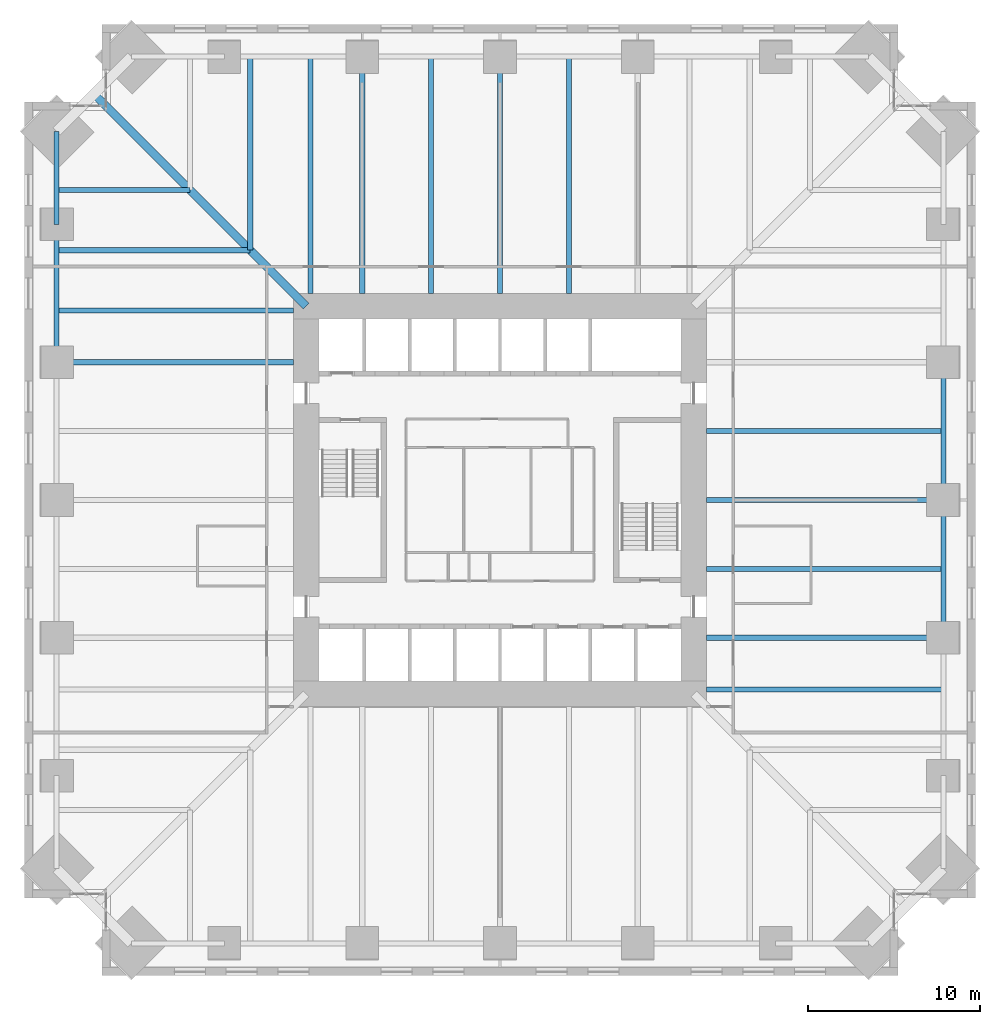
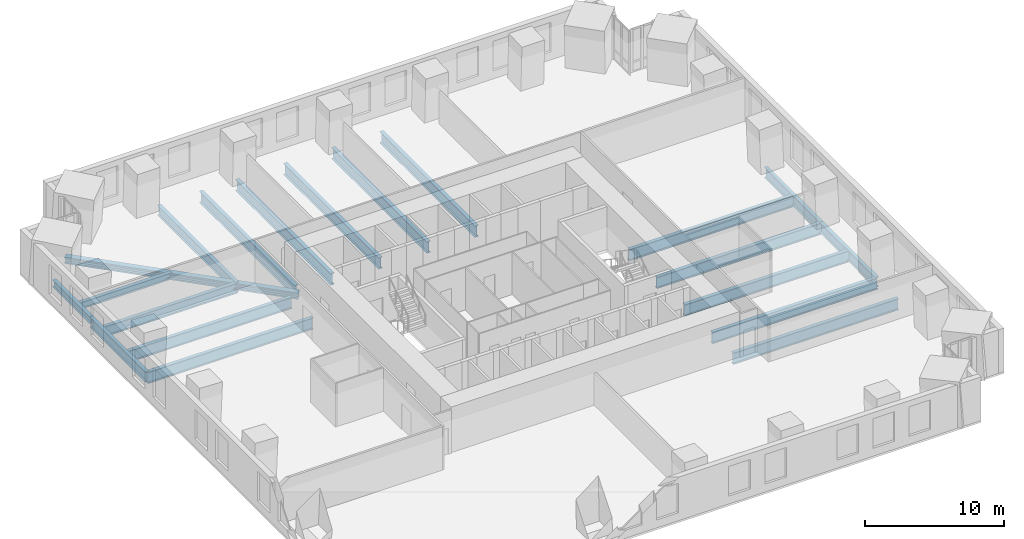
# One storey, part 5 of 16: 20 beams.
"""IFC4 building model written with IfcOpenShell, lengths in metres."""

import ifcopenshell
import ifcopenshell.guid

model = None  # the IFC model being written
_history = None  # IfcOwnerHistory: only IFC2X3 demands one
_inside = {}  # id of a spatial element -> (the spatial element, [elements in it])
_under = {}  # id of a project, library or spatial element -> (it, [spatial elements below it])
_declared = {}  # id of a project -> (the project, [libraries it declares])
_typed = {}  # id of a type object -> (the type object, [elements of that type])
_made_of = {}  # id of a material, layer set ... -> (it, [elements and type objects made of it])


def new_model(schema):
    """Start an empty IFC model of exactly this schema.

    Asked for "IFC4X3", IfcOpenShell would pick the latest addendum, in which some entities
    have other attributes; the version numbers below select the first issue.
    IFC2X3 requires an IfcOwnerHistory on every rooted entity: one is made here for all.
    """
    global model, _history
    if schema == "IFC4X3":
        model = ifcopenshell.file(schema_version=(4, 3, 0, 0))
    else:
        model = ifcopenshell.file(schema=schema)
    _inside.clear()
    _under.clear()
    _declared.clear()
    _typed.clear()
    _made_of.clear()
    _history = None
    if model.schema == "IFC2X3":
        org = make("IfcOrganization", Name="unknown")
        user = make(
            "IfcPersonAndOrganization",
            ThePerson=make("IfcPerson", FamilyName="unknown"),
            TheOrganization=org,
        )
        app = make(
            "IfcApplication",
            ApplicationDeveloper=org,
            Version="unknown",
            ApplicationFullName="unknown",
            ApplicationIdentifier="unknown",
        )
        _history = make(
            "IfcOwnerHistory",
            OwningUser=user,
            OwningApplication=app,
            ChangeAction="ADDED",
            CreationDate=0,
        )
    return model


def make(cls, **values):
    """One entity of the class cls with the attributes given. An attribute that is None is left unset."""
    return model.create_entity(
        cls, **{name: value for name, value in values.items() if value is not None}
    )


def rooted(cls, **values):
    """An entity with a GlobalId (a new one), such as an element, a storey or a relation."""
    return make(cls, GlobalId=ifcopenshell.guid.new(), OwnerHistory=_history, **values)


def si_unit(unit_type, name, prefix=None):
    """IfcSIUnit, for example si_unit("LENGTHUNIT", "METRE", prefix="MILLI")."""
    return make("IfcSIUnit", UnitType=unit_type, Prefix=prefix, Name=name)


def assignment(units):
    """IfcUnitAssignment: the units of a project."""
    return None if units is None else make("IfcUnitAssignment", Units=units)


def point(xyz):
    """IfcCartesianPoint."""
    return None if xyz is None else make("IfcCartesianPoint", Coordinates=xyz)


def direction(xyz):
    """IfcDirection."""
    return None if xyz is None else make("IfcDirection", DirectionRatios=xyz)


def frame(location, z_axis=None, x_axis=None):
    """IfcAxis2Placement3D, a coordinate frame: its origin and axes. An axis left out is left unset."""
    return make(
        "IfcAxis2Placement3D",
        Location=point(location),
        Axis=direction(z_axis),
        RefDirection=direction(x_axis),
    )


def frame_2d(location, x_axis=None):
    """IfcAxis2Placement2D, a coordinate frame in the plane: its origin and x axis."""
    return make(
        "IfcAxis2Placement2D", Location=point(location), RefDirection=direction(x_axis)
    )


def origin():
    """The frame at (0, 0, 0) with its axes left unset."""
    return frame((0.0, 0.0, 0.0))


def origin_2d():
    """The frame at (0, 0) in the plane with its x axis left unset."""
    return frame_2d((0.0, 0.0))


def place(relative_to, where):
    """IfcLocalPlacement: puts the frame where relative to a parent placement (None: the world)."""
    return make(
        "IfcLocalPlacement", PlacementRelTo=relative_to, RelativePlacement=where
    )


def context(
    kind, dimensions, precision=None, world=None, true_north=None, identifier=None
):
    """IfcGeometricRepresentationContext, for example the 3D "Model" context."""
    return make(
        "IfcGeometricRepresentationContext",
        ContextIdentifier=identifier,
        ContextType=kind,
        CoordinateSpaceDimension=dimensions,
        Precision=precision,
        WorldCoordinateSystem=world,
        TrueNorth=true_north,
    )


def subcontext(parent, identifier, kind, view, scale=None):
    """IfcGeometricRepresentationSubContext, for example "Body" below "Model"."""
    return make(
        "IfcGeometricRepresentationSubContext",
        ContextIdentifier=identifier,
        ContextType=kind,
        ParentContext=parent,
        TargetScale=scale,
        TargetView=view,
    )


def project(units=None, contexts=None):
    """IfcProject with its units and contexts."""
    return rooted(
        "IfcProject",
        Name="project",
        RepresentationContexts=contexts,
        UnitsInContext=assignment(units),
    )


def spatial(cls, under=None, at=None, **own):
    """A site, building, storey or space (cls), placed at a placement, below another one or the project."""
    s = rooted(cls, ObjectPlacement=at, **own)
    if under is not None:
        _under.setdefault(under.id(), (under, []))[1].append(s)
    return s


def profile(cls, at=None, kind="AREA", **sizes):
    """A parametric profile (cls). Its sizes go by their IFC names, for example OverallWidth=200.0."""
    return make(cls, ProfileType=kind, Position=at, **sizes)


def i_section(**sizes):
    """IfcIShapeProfileDef."""
    return profile("IfcIShapeProfileDef", **sizes)


def extrude(swept, where, along, depth):
    """IfcExtrudedAreaSolid: the profile swept, set in the frame where, extruded along a direction by depth."""
    return make(
        "IfcExtrudedAreaSolid",
        SweptArea=swept,
        Position=where,
        ExtrudedDirection=direction(along),
        Depth=depth,
    )


def shape(context_of_items, identifier, shape_type, items):
    """IfcShapeRepresentation: the items that make up one representation, for example the "Body"."""
    return make(
        "IfcShapeRepresentation",
        ContextOfItems=context_of_items,
        RepresentationIdentifier=identifier,
        RepresentationType=shape_type,
        Items=items,
    )


def material(Name=None, Category=None):
    """IfcMaterial."""
    return make("IfcMaterial", Name=Name, Category=Category)


def material_profile(
    of_material, cross_section, Name=None, Category=None, Priority=None
):
    """IfcMaterialProfile: a cross section and its material."""
    return make(
        "IfcMaterialProfile",
        Name=Name,
        Material=of_material,
        Profile=cross_section,
        Priority=Priority,
        Category=Category,
    )


def profile_set(profiles, Name=None, composite=None):
    """IfcMaterialProfileSet."""
    return make(
        "IfcMaterialProfileSet",
        Name=Name,
        MaterialProfiles=profiles,
        CompositeProfile=composite,
    )


def made_of(thing, what):
    """Note that an element or type object is made of a material, layer set ...; save() writes the relation."""
    if what is not None:
        _made_of.setdefault(what.id(), (what, []))[1].append(thing)
    return thing


def type_object(cls, material=None, **own):
    """A type object (cls), such as IfcWallType, which elements share."""
    return made_of(rooted(cls, **own), material)


def element(
    cls,
    number,
    at=None,
    inside=None,
    cuts=None,
    type_object=None,
    material=None,
    context=None,
    identifier="Body",
    shape_type=None,
    held_by="IfcProductDefinitionShape",
    body=None,
    shapes=None,
    **own,
):
    """One element of the class cls, such as IfcWall. Its Tag is "e" and its number.

    at: its placement. inside: the storey or other place that contains it. cuts: it is an
    opening in that element (IfcRelVoidsElement). A single representation is given by context,
    identifier, shape_type and body (its items); several are given by shapes. held_by: the class
    of the entity that holds the representations. save() writes the other relations.
    """
    e = rooted(cls, Tag="e%d" % number, ObjectPlacement=at, **own)
    if body is not None:
        shapes = [shape(context, identifier, shape_type, body)]
    if shapes is not None:
        e.Representation = make(held_by, Representations=shapes)
    if inside is not None:
        _inside.setdefault(inside.id(), (inside, []))[1].append(e)
    if cuts is not None:
        rooted(
            "IfcRelVoidsElement", RelatingBuildingElement=cuts, RelatedOpeningElement=e
        )
    if type_object is not None:
        _typed.setdefault(type_object.id(), (type_object, []))[1].append(e)
    return made_of(e, material)


def aggregate(whole, parts):
    """IfcRelAggregates: a whole, such as a stair, and the parts it consists of."""
    return rooted("IfcRelAggregates", RelatingObject=whole, RelatedObjects=parts)


def save(model, path):
    """Write the relations noted so far, then the file.

    IfcRelAggregates (storeys below a building ...), IfcRelContainedInSpatialStructure (elements
    in a storey), IfcRelDefinesByType, IfcRelAssociatesMaterial and IfcRelDeclares: one each for
    every whole, place, type object, material and project.
    """
    for whole, parts in _under.values():
        aggregate(whole, parts)
    for where, things in _inside.values():
        rooted(
            "IfcRelContainedInSpatialStructure",
            RelatedElements=things,
            RelatingStructure=where,
        )
    for kind, things in _typed.values():
        rooted("IfcRelDefinesByType", RelatedObjects=things, RelatingType=kind)
    for what, things in _made_of.values():
        rooted("IfcRelAssociatesMaterial", RelatedObjects=things, RelatingMaterial=what)
    for by, libraries in _declared.values():
        rooted("IfcRelDeclares", RelatingContext=by, RelatedDefinitions=libraries)
    model.write(path)


model = new_model("IFC4")

# Units and contexts
model_context = context("Model", 3, precision=1e-05, world=origin(), true_north=direction((0.0, 1.0)))
body_context = subcontext(model_context, "Body", "Model", "MODEL_VIEW")
ifc_project = project(units=[si_unit("LENGTHUNIT", "METRE"), si_unit("AREAUNIT", "SQUARE_METRE"), si_unit("VOLUMEUNIT", "CUBIC_METRE"), si_unit("PLANEANGLEUNIT", "RADIAN"), si_unit("MASSUNIT", "GRAM", prefix="KILO")], contexts=[model_context])

# Site, building, storey
site_placement = place(None, origin())
site = spatial("IfcSite", under=ifc_project, at=site_placement, CompositionType="ELEMENT")
building_placement = place(site_placement, origin())
building = spatial("IfcBuilding", under=site, at=building_placement, Name="Peilmerk Tower", CompositionType="ELEMENT")
storey_placement = place(building_placement, frame((0.0, 0.0, 127.800048828125)))
storey = spatial("IfcBuildingStorey", under=building, at=storey_placement, Name="L25", CompositionType="ELEMENT", Elevation=127.800048828125)

# Beams
ifc_material_1 = material(Name="Steel S355", Category="steel")
ifc_material_profile_1 = material_profile(ifc_material_1, i_section(OverallWidth=0.302001953125, OverallDepth=0.909912109375, WebThickness=0.02099609375, FlangeThickness=0.0400390625, at=origin_2d()), Name="HEM 900")
ifc_profile_set_1 = profile_set([ifc_material_profile_1], Name="Steel S355")
beam_type_1 = type_object("IfcBeamType", Name="B2 HEM 900 edge beam", PredefinedType="SPANDREL", material=ifc_profile_set_1)
for number, where, z_axis, x_axis, name in (
    (1, (25.74365234375, -8.0, -0.625), (0.0, 1.0, 0.0), (-1.0, 0.0, 0.0), "Edge beam L25"),
    (2, (25.74365234375, 0.0, -0.625), (0.0, 1.0, 0.0), (-1.0, 0.0, 0.0), "Edge beam L25"),
    (3, (-25.74365234375, 16.0, -0.625), (0.0, -1.0, 0.0), (1.0, 0.0, 0.0), "Edge beam L25"),
):
    element("IfcBeam", number, at=place(storey_placement, frame(where, z_axis=z_axis, x_axis=x_axis)), inside=storey, type_object=beam_type_1, Name=name, PredefinedType="SPANDREL", context=body_context, shape_type="SweptSolid", body=[
        extrude(i_section(OverallWidth=0.302001953125, OverallDepth=0.909912109375, WebThickness=0.02099609375, FlangeThickness=0.0400390625, at=origin_2d()), origin(), (0.0, 0.0, 1.0), 8.0),
    ])
ifc_material_profile_2 = material_profile(ifc_material_1, i_section(OverallWidth=0.302001953125, OverallDepth=1.008056640625, WebThickness=0.02099609375, FlangeThickness=0.0400390625, at=origin_2d()), Name="HEM 1000")
ifc_profile_set_2 = profile_set([ifc_material_profile_2], Name="Steel S355")
beam_type_2 = type_object("IfcBeamType", Name="B24 HEM 1000 floor girder", PredefinedType="BEAM", material=ifc_profile_set_2)
for number, where, z_axis, x_axis, name in (
    (4, (4.0, 12.0, -0.674072265625), (0.0, 1.0, 0.0), (-1.0, 0.0, 0.0), "Floor beam L25"),
    (5, (0.0, 12.0, -0.674072265625), (0.0, 1.0, 0.0), (-1.0, 0.0, 0.0), "Floor beam L25"),
    (6, (-4.0, 12.0, -0.674072265625), (0.0, 1.0, 0.0), (-1.0, 0.0, 0.0), "Floor beam L25"),
    (7, (-8.0, 12.0, -0.674072265625), (0.0, 1.0, 0.0), (-1.0, 0.0, 0.0), "Floor beam L25"),
    (8, (-11.0, 12.0, -0.674072265625), (0.0, 1.0, 0.0), (-1.0, 0.0, 0.0), "Floor beam L25"),
    (9, (12.0, -11.0, -0.674072265625), (1.0, 0.0, 0.0), (0.0, 1.0, 0.0), "Floor beam L25"),
    (10, (12.0, -8.0, -0.674072265625), (1.0, 0.0, 0.0), (0.0, 1.0, 0.0), "Floor beam L25"),
    (11, (12.0, -4.0, -0.674072265625), (1.0, 0.0, 0.0), (0.0, 1.0, 0.0), "Floor beam L25"),
    (12, (12.0, 0.0, -0.674072265625), (1.0, 0.0, 0.0), (0.0, 1.0, 0.0), "Floor beam L25"),
    (13, (12.0, 4.0, -0.674072265625), (1.0, 0.0, 0.0), (0.0, 1.0, 0.0), "Floor beam L25"),
    (14, (-12.0, 11.0, -0.674072265625), (-1.0, 0.0, 0.0), (0.0, -1.0, 0.0), "Floor beam L25"),
    (15, (-12.0, 8.0, -0.674072265625), (-1.0, 0.0, 0.0), (0.0, -1.0, 0.0), "Floor beam L25"),
):
    element("IfcBeam", number, at=place(storey_placement, frame(where, z_axis=z_axis, x_axis=x_axis)), inside=storey, type_object=beam_type_2, Name=name, PredefinedType="BEAM", context=body_context, shape_type="SweptSolid", body=[
        extrude(i_section(OverallWidth=0.302001953125, OverallDepth=1.008056640625, WebThickness=0.02099609375, FlangeThickness=0.0400390625, at=origin_2d()), origin(), (0.0, 0.0, 1.0), 13.74365234375),
    ])
ifc_material_profile_3 = material_profile(ifc_material_1, i_section(OverallWidth=0.300048828125, OverallDepth=0.590087890625, WebThickness=0.012939453125, FlangeThickness=0.02490234375, at=origin_2d()), Name="HEA 600")
ifc_profile_set_3 = profile_set([ifc_material_profile_3], Name="Steel S355")
beam_type_3 = type_object("IfcBeamType", Name="B27 HEA 600 floor beam", PredefinedType="BEAM", material=ifc_profile_set_3)
beam_1_placement = place(storey_placement, frame((-18.0, 18.0, -0.465087890625), z_axis=(-1.0, 0.0, 0.0), x_axis=(0.0, -1.0, 0.0)))
element("IfcBeam", 16, at=beam_1_placement, inside=storey, type_object=beam_type_3, Name="Floor beam L25", PredefinedType="BEAM", context=body_context, shape_type="SweptSolid", body=[
    extrude(i_section(OverallWidth=0.300048828125, OverallDepth=0.590087890625, WebThickness=0.012939453125, FlangeThickness=0.02490234375, at=origin_2d()), origin(), (0.0, 0.0, 1.0), 7.74365234375),
])
ifc_material_profile_4 = material_profile(ifc_material_1, i_section(OverallWidth=0.304931640625, OverallDepth=0.6201171875, WebThickness=0.02099609375, FlangeThickness=0.0400390625, at=origin_2d()), Name="HEM 600")
ifc_profile_set_4 = profile_set([ifc_material_profile_4], Name="Steel S355")
beam_type_4 = type_object("IfcBeamType", Name="B31 HEM 600 edge beam", PredefinedType="SPANDREL", material=ifc_profile_set_4)
beam_2_placement = place(storey_placement, frame((-25.74365234375, 21.3935546875, -0.47998046875), z_axis=(0.0, -1.0, 0.0), x_axis=(1.0, 0.0, 0.0)))
element("IfcBeam", 17, at=beam_2_placement, inside=storey, type_object=beam_type_4, Name="Edge beam L25", PredefinedType="SPANDREL", context=body_context, shape_type="SweptSolid", body=[
    extrude(i_section(OverallWidth=0.304931640625, OverallDepth=0.6201171875, WebThickness=0.02099609375, FlangeThickness=0.0400390625, at=origin_2d()), origin(), (0.0, 0.0, 1.0), 5.3935546875),
])
ifc_material_profile_5 = material_profile(ifc_material_1, i_section(OverallWidth=0.300048828125, OverallDepth=0.889892578125, WebThickness=0.01611328125, FlangeThickness=0.030029296875, at=origin_2d()), Name="HEA 900")
ifc_profile_set_5 = profile_set([ifc_material_profile_5], Name="Steel S355")
beam_type_5 = type_object("IfcBeamType", Name="B4 HEA 900 floor beam", PredefinedType="BEAM", material=ifc_profile_set_5)
for number, where, z_axis, x_axis, name in (
    (18, (-14.5, 14.5, -0.614990234375), (0.0, 1.0, 0.0), (-1.0, 0.0, 0.0), "Floor beam L25"),
    (19, (-14.5, 14.5, -0.614990234375), (-1.0, 0.0, 0.0), (0.0, -1.0, 0.0), "Floor beam L25"),
):
    element("IfcBeam", number, at=place(storey_placement, frame(where, z_axis=z_axis, x_axis=x_axis)), inside=storey, type_object=beam_type_5, Name=name, PredefinedType="BEAM", context=body_context, shape_type="SweptSolid", body=[
        extrude(i_section(OverallWidth=0.300048828125, OverallDepth=0.889892578125, WebThickness=0.01611328125, FlangeThickness=0.030029296875, at=origin_2d()), origin(), (0.0, 0.0, 1.0), 11.24365234375),
    ])
ifc_material_2 = material(Name="Steel S460", Category="steel")
ifc_material_profile_6 = material_profile(ifc_material_2, i_section(OverallWidth=0.4541015625, OverallDepth=0.569091796875, WebThickness=0.077880859375, FlangeThickness=0.125, at=origin_2d()), Name="HD 400x1086")
ifc_profile_set_6 = profile_set([ifc_material_profile_6], Name="Steel S460")
beam_type_6 = type_object("IfcBeamType", Name="B9 HD 400x1086 corner girder", PredefinedType="BEAM", material=ifc_profile_set_6)
beam_3_placement = place(storey_placement, frame((-11.25, 11.25, -0.45458984375), z_axis=(-0.707106781187, 0.707106781187, 0.0), x_axis=(-0.707106781187, -0.707106781187, 0.0)))
element("IfcBeam", 20, at=beam_3_placement, inside=storey, type_object=beam_type_6, Name="Corner girder L25", PredefinedType="BEAM", context=body_context, shape_type="SweptSolid", body=[
    extrude(i_section(OverallWidth=0.4541015625, OverallDepth=0.569091796875, WebThickness=0.077880859375, FlangeThickness=0.125, at=origin_2d()), origin(), (0.0, 0.0, 1.0), 17.421142578125),
])

save(model, "model.ifc")
